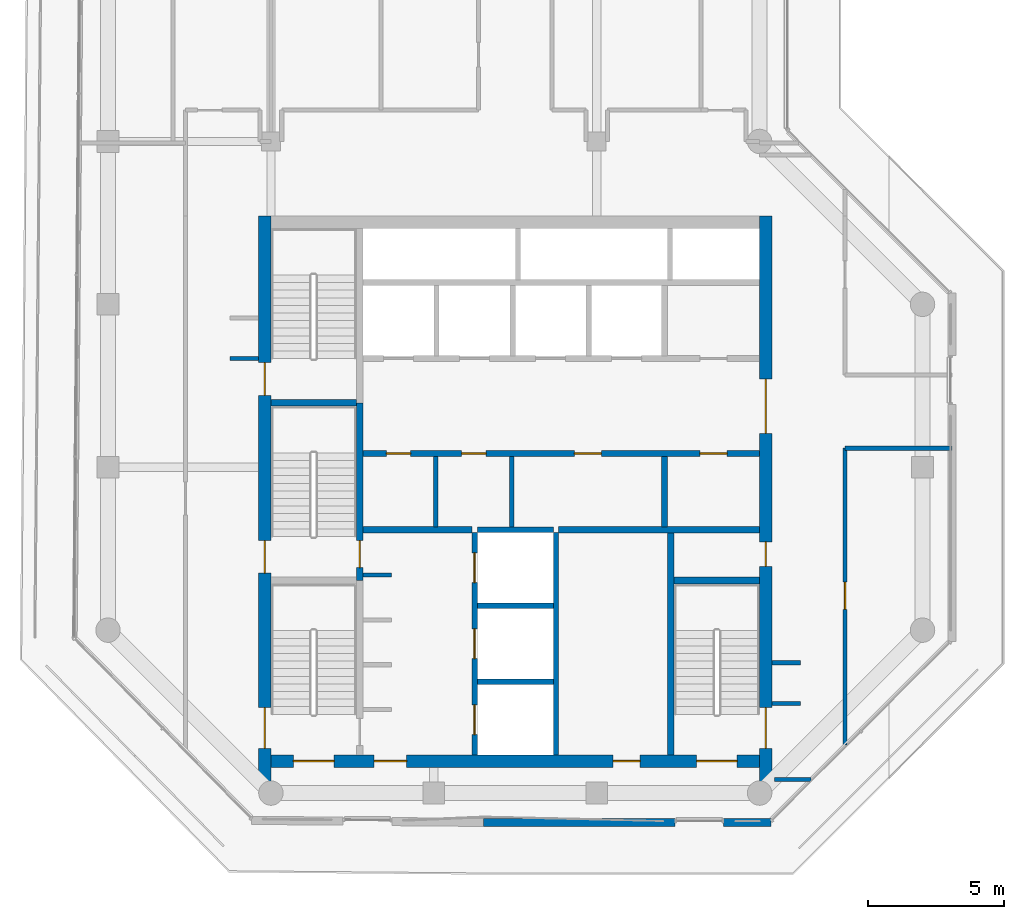
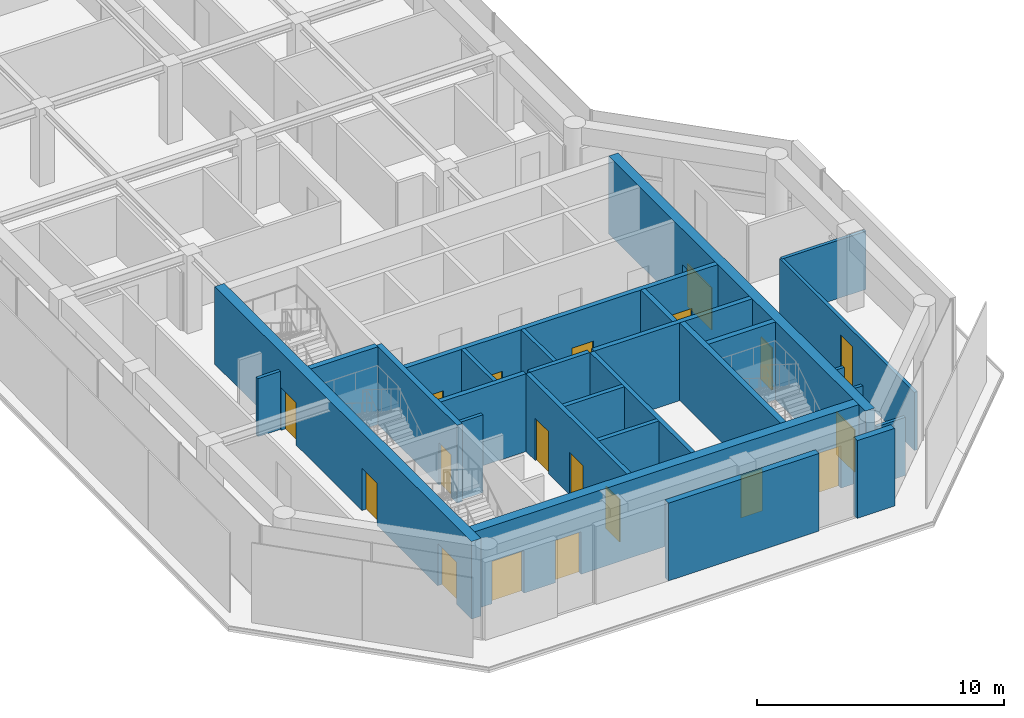
# One storey, part 15 of 19: 27 walls, 19 doors, 19 openings.
"""IFC4 building model written with IfcOpenShell, lengths in metres."""

from ifc_helpers import new_model, si_unit, direction, frame, frame_2d, origin, place, context, subcontext, project, spatial, rectangle, extrude, material, layer, layer_set, type_object, element, fill, save


model = new_model("IFC4")

# Units and contexts
model_context = context("Model", 3, precision=1e-05, world=origin(), true_north=direction((0.0, 1.0)))
body_context = subcontext(model_context, "Body", "Model", "MODEL_VIEW")
ifc_project = project(units=[si_unit("LENGTHUNIT", "METRE"), si_unit("AREAUNIT", "SQUARE_METRE"), si_unit("VOLUMEUNIT", "CUBIC_METRE"), si_unit("PLANEANGLEUNIT", "RADIAN"), si_unit("MASSUNIT", "GRAM", prefix="KILO")], contexts=[model_context])

# Site, building, storey
site_placement = place(None, origin())
site = spatial("IfcSite", under=ifc_project, at=site_placement, CompositionType="ELEMENT")
building_placement = place(site_placement, origin())
building = spatial("IfcBuilding", under=site, at=building_placement, Name="Welwitschia Terrace Campus", CompositionType="ELEMENT")
storey_placement = place(building_placement, frame((0.0, 0.0, 230.60009765625)))
storey = spatial("IfcBuildingStorey", under=building, at=storey_placement, Name="L51", CompositionType="ELEMENT", Elevation=230.60009765625)

# Walls
ifc_material_1 = material(Name="Concrete C32/40", Category="concrete")
ifc_layer_1 = layer(ifc_material_1, 0.175048828125)
ifc_layer_set_1 = layer_set([ifc_layer_1], Name="Concrete C32/40")
wall_type_1 = type_object("IfcWallType", Name="Core partition 175 Concrete C32/40", PredefinedType="PARTITIONING", material=ifc_layer_set_1)
for number, where, z_axis, x_axis, name in (
    (1, (12.074951171875, 13.800048828125, 0.0), (0.0, 0.0, 1.0), (0.0, 1.0, 0.0), "Core partition"),
    (2, (14.875, 13.800048828125, 0.0), (0.0, 0.0, 1.0), (0.0, 1.0, 0.0), "Core partition"),
):
    element("IfcWall", number, at=place(storey_placement, frame(where, z_axis=z_axis, x_axis=x_axis)), inside=storey, type_object=wall_type_1, Name=name, PredefinedType="PARTITIONING", context=body_context, shape_type="SweptSolid", body=[
        extrude(rectangle(XDim=2.599853515625, YDim=0.175048828125, at=frame_2d((1.2998046875, 0.0))), origin(), (0.0, 0.0, 1.0), 3.849853515625),
    ])
ifc_material_2 = material(Name="Concrete C32/40", Category="concrete")
ifc_layer_2 = layer(ifc_material_2, 0.22509765625)
ifc_layer_set_2 = layer_set([ifc_layer_2], Name="Concrete C32/40")
wall_type_2 = type_object("IfcWallType", Name="Core partition 225 Concrete C32/40", PredefinedType="PARTITIONING", material=ifc_layer_set_2)
wall_1_placement = place(storey_placement, frame((9.39990234375, 13.699951171875, 0.0), z_axis=(0.0, 0.0, 1.0), x_axis=(1.0, 0.0, 0.0)))
element("IfcWall", 3, at=wall_1_placement, inside=storey, type_object=wall_type_2, Name="Core partition", PredefinedType="PARTITIONING", context=body_context, shape_type="SweptSolid", body=[
    extrude(rectangle(XDim=4.0, YDim=0.22509765625, at=frame_2d((2.0, 0.0))), origin(), (0.0, 0.0, 1.0), 3.849853515625),
])
wall_2_placement = place(storey_placement, frame((16.60009765625, 13.699951171875, 0.0), z_axis=(0.0, 0.0, 1.0), x_axis=(1.0, 0.0, 0.0)))
element("IfcWall", 4, at=wall_2_placement, inside=storey, type_object=wall_type_2, Name="Core partition", PredefinedType="PARTITIONING", context=body_context, shape_type="SweptSolid", body=[
    extrude(rectangle(XDim=7.39990234375, YDim=0.22509765625, at=frame_2d((3.699951171875, 0.0))), origin(), (0.0, 0.0, 1.0), 3.849853515625),
])

# Wall, openings, doors
wall_3_placement = place(storey_placement, frame((9.39990234375, 16.5, 0.0), z_axis=(0.0, 0.0, 1.0), x_axis=(1.0, 0.0, 0.0)))
wall_3 = element("IfcWall", 5, at=wall_3_placement, inside=storey, type_object=wall_type_2, Name="Core partition", PredefinedType="PARTITIONING", context=body_context, shape_type="SweptSolid", body=[
    extrude(rectangle(XDim=14.60009765625, YDim=0.22509765625, at=frame_2d((7.300048828125, 0.0))), origin(), (0.0, 0.0, 1.0), 3.849853515625),
])
opening_1_placement = place(wall_3_placement, frame((0.85009765625, 0.0, 0.0)))
opening_1 = element("IfcOpeningElement", 6, at=opening_1_placement, cuts=wall_3, Name="Opening DR09", PredefinedType="OPENING", context=body_context, shape_type="SweptSolid", body=[
    extrude(rectangle(XDim=0.89990234375, YDim=2.10009765625, at=frame_2d((0.449951171875, 1.050048828125))), frame((0.0, 0.12255859375, 0.0), z_axis=(0.0, -1.0, 0.0), x_axis=(1.0, 0.0, 0.0)), (0.0, 0.0, 1.0), 0.2451171875),
])
opening_2_placement = place(wall_3_placement, frame((3.625, 0.0, 0.0)))
opening_2 = element("IfcOpeningElement", 7, at=opening_2_placement, cuts=wall_3, Name="Opening DR09", PredefinedType="OPENING", context=body_context, shape_type="SweptSolid", body=[
    extrude(rectangle(XDim=0.89990234375, YDim=2.10009765625, at=frame_2d((0.449951171875, 1.050048828125))), frame((0.0, 0.12255859375, 0.0), z_axis=(0.0, -1.0, 0.0), x_axis=(1.0, 0.0, 0.0)), (0.0, 0.0, 1.0), 0.2451171875),
])
opening_3_placement = place(wall_3_placement, frame((7.77490234375, 0.0, 0.0)))
opening_3 = element("IfcOpeningElement", 8, at=opening_3_placement, cuts=wall_3, Name="Opening DR10", PredefinedType="OPENING", context=body_context, shape_type="SweptSolid", body=[
    extrude(rectangle(XDim=1.0, YDim=2.10009765625, at=frame_2d((0.5, 1.050048828125))), frame((0.0, 0.12255859375, 0.0), z_axis=(0.0, -1.0, 0.0), x_axis=(1.0, 0.0, 0.0)), (0.0, 0.0, 1.0), 0.2451171875),
])
opening_4_placement = place(wall_3_placement, frame((12.39990234375, 0.0, 0.0)))
opening_4 = element("IfcOpeningElement", 9, at=opening_4_placement, cuts=wall_3, Name="Opening DR10", PredefinedType="OPENING", context=body_context, shape_type="SweptSolid", body=[
    extrude(rectangle(XDim=1.0, YDim=2.10009765625, at=frame_2d((0.5, 1.050048828125))), frame((0.0, 0.12255859375, 0.0), z_axis=(0.0, -1.0, 0.0), x_axis=(1.0, 0.0, 0.0)), (0.0, 0.0, 1.0), 0.2451171875),
])
ifc_material_3 = material(Name="Steel S275", Category="steel")
door_type_1 = type_object("IfcDoorType", Name="Core door DR09", OperationType="SINGLE_SWING_LEFT", PredefinedType="DOOR", material=ifc_material_3)
door_1_placement = place(opening_1_placement, origin())
door_1 = element("IfcDoor", 10, at=door_1_placement, inside=storey, type_object=door_type_1, Name="Door BAYL1-D", OperationType="SINGLE_SWING_LEFT", OverallHeight=2.10009765625, OverallWidth=0.89990234375, PredefinedType="DOOR", context=body_context, shape_type="SweptSolid", body=[
    extrude(rectangle(XDim=0.89990234375, YDim=2.10009765625, at=frame_2d((0.449951171875, 1.050048828125))), frame((0.0, 0.02490234375, 0.0), z_axis=(0.0, -1.0, 0.0), x_axis=(1.0, 0.0, 0.0)), (0.0, 0.0, 1.0), 0.050048828125),
])
fill(opening_1, door_1)
door_2_placement = place(opening_2_placement, origin())
door_2 = element("IfcDoor", 11, at=door_2_placement, inside=storey, type_object=door_type_1, Name="Door BAYL2-D", OperationType="SINGLE_SWING_LEFT", OverallHeight=2.10009765625, OverallWidth=0.89990234375, PredefinedType="DOOR", context=body_context, shape_type="SweptSolid", body=[
    extrude(rectangle(XDim=0.89990234375, YDim=2.10009765625, at=frame_2d((0.449951171875, 1.050048828125))), frame((0.0, 0.02490234375, 0.0), z_axis=(0.0, -1.0, 0.0), x_axis=(1.0, 0.0, 0.0)), (0.0, 0.0, 1.0), 0.050048828125),
])
fill(opening_2, door_2)
ifc_material_4 = material(Name="Steel S275", Category="steel")
door_type_2 = type_object("IfcDoorType", Name="Core door DR10", OperationType="SINGLE_SWING_LEFT", PredefinedType="DOOR", material=ifc_material_4)
door_3_placement = place(opening_3_placement, origin())
door_3 = element("IfcDoor", 12, at=door_3_placement, inside=storey, type_object=door_type_2, Name="Door BAYL3-D", OperationType="SINGLE_SWING_RIGHT", OverallHeight=2.10009765625, OverallWidth=1.0, PredefinedType="DOOR", context=body_context, shape_type="SweptSolid", body=[
    extrude(rectangle(XDim=1.0, YDim=2.10009765625, at=frame_2d((0.5, 1.050048828125))), frame((0.0, 0.02490234375, 0.0), z_axis=(0.0, -1.0, 0.0), x_axis=(1.0, 0.0, 0.0)), (0.0, 0.0, 1.0), 0.050048828125),
])
fill(opening_3, door_3)
door_4_placement = place(opening_4_placement, origin())
door_4 = element("IfcDoor", 13, at=door_4_placement, inside=storey, type_object=door_type_2, Name="Door EL-D", OperationType="SINGLE_SWING_RIGHT", OverallHeight=2.10009765625, OverallWidth=1.0, PredefinedType="DOOR", context=body_context, shape_type="SweptSolid", body=[
    extrude(rectangle(XDim=1.0, YDim=2.10009765625, at=frame_2d((0.5, 1.050048828125))), frame((0.0, 0.02490234375, 0.0), z_axis=(0.0, -1.0, 0.0), x_axis=(1.0, 0.0, 0.0)), (0.0, 0.0, 1.0), 0.050048828125),
])
fill(opening_4, door_4)

# Walls
wall_4_placement = place(storey_placement, frame((20.5, 13.800048828125, 0.0), z_axis=(0.0, 0.0, 1.0), x_axis=(0.0, 1.0, 0.0)))
element("IfcWall", 14, at=wall_4_placement, inside=storey, type_object=wall_type_2, Name="Core partition", PredefinedType="PARTITIONING", context=body_context, shape_type="SweptSolid", body=[
    extrude(rectangle(XDim=2.599853515625, YDim=0.22509765625, at=frame_2d((1.2998046875, 0.0))), origin(), (0.0, 0.0, 1.0), 3.849853515625),
])
ifc_material_5 = material(Name="Concrete C50/60", Category="concrete")
ifc_layer_3 = layer(ifc_material_5, 0.14990234375)
ifc_layer_set_3 = layer_set([ifc_layer_3], Name="Concrete C50/60")
wall_type_3 = type_object("IfcWallType", Name="Core wall 150 Concrete C50/60", PredefinedType="SHEAR", material=ifc_layer_set_3)
wall_5_placement = place(storey_placement, frame((9.39990234375, 12.02490234375, 0.0), z_axis=(0.0, 0.0, 1.0), x_axis=(1.0, 0.0, 0.0)))
element("IfcWall", 15, at=wall_5_placement, inside=storey, type_object=wall_type_3, Name="Core wall", PredefinedType="SHEAR", context=body_context, shape_type="SweptSolid", body=[
    extrude(rectangle(XDim=1.050048828125, YDim=0.14990234375, at=frame_2d((0.52490234375, 0.0))), origin(), (0.0, 0.0, 1.0), 3.849853515625),
])
ifc_material_6 = material(Name="Concrete C50/60", Category="concrete")
ifc_layer_4 = layer(ifc_material_6, 0.199951171875)
ifc_layer_set_4 = layer_set([ifc_layer_4], Name="Concrete C50/60")
wall_type_4 = type_object("IfcWallType", Name="Core wall 200 Concrete C50/60", PredefinedType="SHEAR", material=ifc_layer_set_4)
for number, where, z_axis, x_axis, name in (
    (16, (13.60009765625, 8.10009765625, 0.0), (0.0, 0.0, 1.0), (1.0, 0.0, 0.0), "Core wall"),
    (17, (13.60009765625, 10.89990234375, 0.0), (0.0, 0.0, 1.0), (1.0, 0.0, 0.0), "Core wall"),
    (18, (13.60009765625, 13.699951171875, 0.0), (0.0, 0.0, 1.0), (1.0, 0.0, 0.0), "Core wall"),
):
    element("IfcWall", number, at=place(storey_placement, frame(where, z_axis=z_axis, x_axis=x_axis)), inside=storey, type_object=wall_type_4, Name=name, PredefinedType="SHEAR", context=body_context, shape_type="SweptSolid", body=[
        extrude(rectangle(XDim=2.7998046875, YDim=0.199951171875, at=frame_2d((1.39990234375, 0.0))), origin(), (0.0, 0.0, 1.0), 3.849853515625),
    ])

# Wall, openings, doors
wall_6_placement = place(storey_placement, frame((13.5, 5.39990234375, 0.0), z_axis=(0.0, 0.0, 1.0), x_axis=(0.0, 1.0, 0.0)))
wall_6 = element("IfcWall", 19, at=wall_6_placement, inside=storey, type_object=wall_type_4, Name="Core wall", PredefinedType="SHEAR", context=body_context, shape_type="SweptSolid", body=[
    extrude(rectangle(XDim=8.2001953125, YDim=0.199951171875, at=frame_2d((4.10009765625, 0.0))), origin(), (0.0, 0.0, 1.0), 3.849853515625),
])
opening_5_placement = place(wall_6_placement, frame((0.75, 0.0, 0.0)))
opening_5 = element("IfcOpeningElement", 20, at=opening_5_placement, cuts=wall_6, Name="Opening LD", PredefinedType="OPENING", context=body_context, shape_type="SweptSolid", body=[
    extrude(rectangle(XDim=1.10009765625, YDim=2.10009765625, at=frame_2d((0.550048828125, 1.050048828125))), frame((0.0, 0.10986328125, 0.0), z_axis=(0.0, -1.0, 0.0), x_axis=(1.0, 0.0, 0.0)), (0.0, 0.0, 1.0), 0.219970703125),
])
opening_6_placement = place(wall_6_placement, frame((3.550048828125, 0.0, 0.0)))
opening_6 = element("IfcOpeningElement", 21, at=opening_6_placement, cuts=wall_6, Name="Opening LD", PredefinedType="OPENING", context=body_context, shape_type="SweptSolid", body=[
    extrude(rectangle(XDim=1.10009765625, YDim=2.10009765625, at=frame_2d((0.550048828125, 1.050048828125))), frame((0.0, 0.10986328125, 0.0), z_axis=(0.0, -1.0, 0.0), x_axis=(1.0, 0.0, 0.0)), (0.0, 0.0, 1.0), 0.219970703125),
])
opening_7_placement = place(wall_6_placement, frame((6.35009765625, 0.0, 0.0)))
opening_7 = element("IfcOpeningElement", 22, at=opening_7_placement, cuts=wall_6, Name="Opening LD", PredefinedType="OPENING", context=body_context, shape_type="SweptSolid", body=[
    extrude(rectangle(XDim=1.10009765625, YDim=2.10009765625, at=frame_2d((0.550048828125, 1.050048828125))), frame((0.0, 0.10986328125, 0.0), z_axis=(0.0, -1.0, 0.0), x_axis=(1.0, 0.0, 0.0)), (0.0, 0.0, 1.0), 0.219970703125),
])
ifc_material_7 = material(Name="Stainless steel 304", Category="steel")
door_type_3 = type_object("IfcDoorType", Name="Lift landing door", OperationType="DOUBLE_DOOR_SLIDING", PredefinedType="DOOR", material=ifc_material_7)
door_5_placement = place(opening_5_placement, origin())
door_5 = element("IfcDoor", 23, at=door_5_placement, inside=storey, type_object=door_type_3, Name="Landing door FF1", OperationType="DOUBLE_DOOR_SLIDING", OverallHeight=2.10009765625, OverallWidth=1.10009765625, PredefinedType="DOOR", context=body_context, shape_type="SweptSolid", body=[
    extrude(rectangle(XDim=1.10009765625, YDim=2.10009765625, at=frame_2d((0.550048828125, 1.050048828125))), frame((0.0, 0.02490234375, 0.0), z_axis=(0.0, -1.0, 0.0), x_axis=(1.0, 0.0, 0.0)), (0.0, 0.0, 1.0), 0.050048828125),
])
fill(opening_5, door_5)
door_6_placement = place(opening_6_placement, origin())
door_6 = element("IfcDoor", 24, at=door_6_placement, inside=storey, type_object=door_type_3, Name="Landing door FF2", OperationType="DOUBLE_DOOR_SLIDING", OverallHeight=2.10009765625, OverallWidth=1.10009765625, PredefinedType="DOOR", context=body_context, shape_type="SweptSolid", body=[
    extrude(rectangle(XDim=1.10009765625, YDim=2.10009765625, at=frame_2d((0.550048828125, 1.050048828125))), frame((0.0, 0.02490234375, 0.0), z_axis=(0.0, -1.0, 0.0), x_axis=(1.0, 0.0, 0.0)), (0.0, 0.0, 1.0), 0.050048828125),
])
fill(opening_6, door_6)
door_7_placement = place(opening_7_placement, origin())
door_7 = element("IfcDoor", 25, at=door_7_placement, inside=storey, type_object=door_type_3, Name="Landing door SV1", OperationType="DOUBLE_DOOR_SLIDING", OverallHeight=2.10009765625, OverallWidth=1.10009765625, PredefinedType="DOOR", context=body_context, shape_type="SweptSolid", body=[
    extrude(rectangle(XDim=1.10009765625, YDim=2.10009765625, at=frame_2d((0.550048828125, 1.050048828125))), frame((0.0, 0.02490234375, 0.0), z_axis=(0.0, -1.0, 0.0), x_axis=(1.0, 0.0, 0.0)), (0.0, 0.0, 1.0), 0.050048828125),
])
fill(opening_7, door_7)

# Walls
wall_7_placement = place(storey_placement, frame((16.5, 5.39990234375, 0.0), z_axis=(0.0, 0.0, 1.0), x_axis=(0.0, 1.0, 0.0)))
element("IfcWall", 26, at=wall_7_placement, inside=storey, type_object=wall_type_4, Name="Core wall", PredefinedType="SHEAR", context=body_context, shape_type="SweptSolid", body=[
    extrude(rectangle(XDim=8.2001953125, YDim=0.199951171875, at=frame_2d((4.10009765625, 0.0))), origin(), (0.0, 0.0, 1.0), 3.849853515625),
])
ifc_material_8 = material(Name="Concrete C50/60", Category="concrete")
ifc_layer_5 = layer(ifc_material_8, 0.25)
ifc_layer_set_5 = layer_set([ifc_layer_5], Name="Concrete C50/60")
wall_type_5 = type_object("IfcWallType", Name="Core wall 250 Concrete C50/60", PredefinedType="SHEAR", material=ifc_layer_set_5)
for number, where, z_axis, x_axis, name in (
    (27, (20.85009765625, 11.824951171875, 0.0), (0.0, 0.0, 1.0), (1.0, 0.0, 0.0), "Core wall"),
    (28, (6.0, 18.375, 0.0), (0.0, 0.0, 1.0), (1.0, 0.0, 0.0), "Core wall"),
):
    element("IfcWall", number, at=place(storey_placement, frame(where, z_axis=z_axis, x_axis=x_axis)), inside=storey, type_object=wall_type_5, Name=name, PredefinedType="SHEAR", context=body_context, shape_type="SweptSolid", body=[
        extrude(rectangle(XDim=3.14990234375, YDim=0.25, at=frame_2d((1.574951171875, 0.0))), origin(), (0.0, 0.0, 1.0), 3.849853515625),
    ])

# Wall, opening, door
wall_8_placement = place(storey_placement, frame((9.27490234375, 18.375, 0.0), z_axis=(0.0, 0.0, 1.0), x_axis=(0.0, -1.0, 0.0)))
wall_8 = element("IfcWall", 29, at=wall_8_placement, inside=storey, type_object=wall_type_5, Name="Core wall", PredefinedType="SHEAR", context=body_context, shape_type="SweptSolid", body=[
    extrude(rectangle(XDim=6.550048828125, YDim=0.25, at=frame_2d((3.27490234375, 0.0))), origin(), (0.0, 0.0, 1.0), 3.849853515625),
])
opening_8_placement = place(wall_8_placement, frame((5.074951171875, 0.0, 0.0)))
opening_8 = element("IfcOpeningElement", 30, at=opening_8_placement, cuts=wall_8, Name="Opening DS10", PredefinedType="OPENING", context=body_context, shape_type="SweptSolid", body=[
    extrude(rectangle(XDim=1.0, YDim=2.10009765625, at=frame_2d((0.5, 1.050048828125))), frame((0.0, 0.135009765625, 0.0), z_axis=(0.0, -1.0, 0.0), x_axis=(1.0, 0.0, 0.0)), (0.0, 0.0, 1.0), 0.27001953125),
])
ifc_material_9 = material(Name="Steel S275", Category="steel")
door_type_4 = type_object("IfcDoorType", Name="Core door DS10", OperationType="SINGLE_SWING_LEFT", PredefinedType="DOOR", material=ifc_material_9)
door_8_placement = place(opening_8_placement, origin())
door_8 = element("IfcDoor", 31, at=door_8_placement, inside=storey, type_object=door_type_4, Name="Door S3-FL", OperationType="SINGLE_SWING_RIGHT", OverallHeight=2.10009765625, OverallWidth=1.0, PredefinedType="DOOR", context=body_context, shape_type="SweptSolid", body=[
    extrude(rectangle(XDim=1.0, YDim=2.10009765625, at=frame_2d((0.5, 1.050048828125))), frame((0.0, 0.02490234375, 0.0), z_axis=(0.0, -1.0, 0.0), x_axis=(1.0, 0.0, 0.0)), (0.0, 0.0, 1.0), 0.050048828125),
])
fill(opening_8, door_8)

# Wall
wall_9_placement = place(storey_placement, frame((20.72509765625, 5.39990234375, 0.0), z_axis=(0.0, 0.0, 1.0), x_axis=(0.0, 1.0, 0.0)))
element("IfcWall", 32, at=wall_9_placement, inside=storey, type_object=wall_type_5, Name="Core wall", PredefinedType="SHEAR", context=body_context, shape_type="SweptSolid", body=[
    extrude(rectangle(XDim=8.2001953125, YDim=0.25, at=frame_2d((4.10009765625, 0.0))), origin(), (0.0, 0.0, 1.0), 3.849853515625),
])

# Wall, openings, doors
ifc_material_10 = material(Name="Concrete C60/75", Category="concrete")
ifc_layer_6 = layer(ifc_material_10, 0.449951171875)
ifc_layer_set_6 = layer_set([ifc_layer_6], Name="Concrete C60/75")
wall_type_6 = type_object("IfcWallType", Name="Core wall 450 Concrete C60/75", PredefinedType="SHEAR", material=ifc_layer_set_6)
wall_10_placement = place(storey_placement, frame((5.77490234375, 4.419921875, 0.0), z_axis=(0.0, 0.0, 1.0), x_axis=(0.0, 1.0, 0.0)))
wall_10 = element("IfcWall", 33, at=wall_10_placement, inside=storey, type_object=wall_type_6, Name="Core outer wall", PredefinedType="SHEAR", context=body_context, shape_type="SweptSolid", body=[
    extrude(rectangle(XDim=20.830078125, YDim=0.449951171875, at=frame_2d((10.4150390625, 0.0))), origin(), (0.0, 0.0, 1.0), 3.849853515625),
])
opening_9_placement = place(wall_10_placement, frame((1.22998046875, 0.0, 0.0)))
opening_9 = element("IfcOpeningElement", 34, at=opening_9_placement, cuts=wall_10, Name="Opening DS15", PredefinedType="OPENING", context=body_context, shape_type="SweptSolid", body=[
    extrude(rectangle(XDim=1.5, YDim=2.10009765625, at=frame_2d((0.75, 1.050048828125))), frame((0.0, 0.23486328125, 0.0), z_axis=(0.0, -1.0, 0.0), x_axis=(1.0, 0.0, 0.0)), (0.0, 0.0, 1.0), 0.469970703125),
])
opening_10_placement = place(wall_10_placement, frame((7.679931640625, 0.0, 0.0)))
opening_10 = element("IfcOpeningElement", 35, at=opening_10_placement, cuts=wall_10, Name="Opening DS12", PredefinedType="OPENING", context=body_context, shape_type="SweptSolid", body=[
    extrude(rectangle(XDim=1.199951171875, YDim=2.10009765625, at=frame_2d((0.60009765625, 1.050048828125))), frame((0.0, 0.23486328125, 0.0), z_axis=(0.0, -1.0, 0.0), x_axis=(1.0, 0.0, 0.0)), (0.0, 0.0, 1.0), 0.469970703125),
])
opening_11_placement = place(wall_10_placement, frame((14.22998046875, 0.0, 0.0)))
opening_11 = element("IfcOpeningElement", 36, at=opening_11_placement, cuts=wall_10, Name="Opening DS12", PredefinedType="OPENING", context=body_context, shape_type="SweptSolid", body=[
    extrude(rectangle(XDim=1.199951171875, YDim=2.10009765625, at=frame_2d((0.60009765625, 1.050048828125))), frame((0.0, 0.23486328125, 0.0), z_axis=(0.0, -1.0, 0.0), x_axis=(1.0, 0.0, 0.0)), (0.0, 0.0, 1.0), 0.469970703125),
])
ifc_material_11 = material(Name="Steel S275", Category="steel")
door_type_5 = type_object("IfcDoorType", Name="Core door DS12", OperationType="SINGLE_SWING_LEFT", PredefinedType="DOOR", material=ifc_material_11)
door_9_placement = place(opening_10_placement, origin())
door_9 = element("IfcDoor", 37, at=door_9_placement, inside=storey, type_object=door_type_5, Name="Door S3-out", OperationType="SINGLE_SWING_LEFT", OverallHeight=2.10009765625, OverallWidth=1.199951171875, PredefinedType="DOOR", context=body_context, shape_type="SweptSolid", body=[
    extrude(rectangle(XDim=1.199951171875, YDim=2.10009765625, at=frame_2d((0.60009765625, 1.050048828125))), frame((0.0, 0.02490234375, 0.0), z_axis=(0.0, -1.0, 0.0), x_axis=(1.0, 0.0, 0.0)), (0.0, 0.0, 1.0), 0.050048828125),
])
fill(opening_10, door_9)
door_10_placement = place(opening_11_placement, origin())
door_10 = element("IfcDoor", 38, at=door_10_placement, inside=storey, type_object=door_type_5, Name="Door S4-out", OperationType="SINGLE_SWING_RIGHT", OverallHeight=2.10009765625, OverallWidth=1.199951171875, PredefinedType="DOOR", context=body_context, shape_type="SweptSolid", body=[
    extrude(rectangle(XDim=1.199951171875, YDim=2.10009765625, at=frame_2d((0.60009765625, 1.050048828125))), frame((0.0, 0.02490234375, 0.0), z_axis=(0.0, -1.0, 0.0), x_axis=(1.0, 0.0, 0.0)), (0.0, 0.0, 1.0), 0.050048828125),
])
fill(opening_11, door_10)
ifc_material_12 = material(Name="Steel S275", Category="steel")
door_type_6 = type_object("IfcDoorType", Name="Core door DS15", OperationType="DOUBLE_DOOR_SINGLE_SWING", PredefinedType="DOOR", material=ifc_material_12)
door_11_placement = place(opening_9_placement, origin())
door_11 = element("IfcDoor", 39, at=door_11_placement, inside=storey, type_object=door_type_6, Name="Door S1-out", OperationType="DOUBLE_DOOR_SINGLE_SWING", OverallHeight=2.10009765625, OverallWidth=1.5, PredefinedType="DOOR", context=body_context, shape_type="SweptSolid", body=[
    extrude(rectangle(XDim=1.5, YDim=2.10009765625, at=frame_2d((0.75, 1.050048828125))), frame((0.0, 0.02490234375, 0.0), z_axis=(0.0, -1.0, 0.0), x_axis=(1.0, 0.0, 0.0)), (0.0, 0.0, 1.0), 0.050048828125),
])
fill(opening_9, door_11)

wall_11_placement = place(storey_placement, frame((24.22509765625, 25.25, 0.0), z_axis=(0.0, 0.0, 1.0), x_axis=(0.0, -1.0, 0.0)))
wall_11 = element("IfcWall", 40, at=wall_11_placement, inside=storey, type_object=wall_type_6, Name="Core outer wall", PredefinedType="SHEAR", context=body_context, shape_type="SweptSolid", body=[
    extrude(rectangle(XDim=20.830078125, YDim=0.449951171875, at=frame_2d((10.4150390625, 0.0))), origin(), (0.0, 0.0, 1.0), 3.849853515625),
])
opening_12_placement = place(wall_11_placement, frame((18.10009765625, 0.0, 0.0)))
opening_12 = element("IfcOpeningElement", 41, at=opening_12_placement, cuts=wall_11, Name="Opening DS15", PredefinedType="OPENING", context=body_context, shape_type="SweptSolid", body=[
    extrude(rectangle(XDim=1.5, YDim=2.10009765625, at=frame_2d((0.75, 1.050048828125))), frame((0.0, 0.23486328125, 0.0), z_axis=(0.0, -1.0, 0.0), x_axis=(1.0, 0.0, 0.0)), (0.0, 0.0, 1.0), 0.469970703125),
])
opening_13_placement = place(wall_11_placement, frame((12.0, 0.0, 0.0)))
opening_13 = element("IfcOpeningElement", 42, at=opening_13_placement, cuts=wall_11, Name="Opening DR09", PredefinedType="OPENING", context=body_context, shape_type="SweptSolid", body=[
    extrude(rectangle(XDim=0.89990234375, YDim=2.10009765625, at=frame_2d((0.449951171875, 1.050048828125))), frame((0.0, 0.23486328125, 0.0), z_axis=(0.0, -1.0, 0.0), x_axis=(1.0, 0.0, 0.0)), (0.0, 0.0, 1.0), 0.469970703125),
])
opening_14_placement = place(wall_11_placement, frame((6.0, 0.0, 0.0)))
opening_14 = element("IfcOpeningElement", 43, at=opening_14_placement, cuts=wall_11, Name="Opening DL20", PredefinedType="OPENING", context=body_context, shape_type="SweptSolid", body=[
    extrude(rectangle(XDim=2.0, YDim=2.10009765625, at=frame_2d((1.0, 1.050048828125))), frame((0.0, 0.23486328125, 0.0), z_axis=(0.0, -1.0, 0.0), x_axis=(1.0, 0.0, 0.0)), (0.0, 0.0, 1.0), 0.469970703125),
])
ifc_material_13 = material(Name="Steel S275", Category="steel")
door_type_7 = type_object("IfcDoorType", Name="Core door DL20", OperationType="DOUBLE_DOOR_SINGLE_SWING", PredefinedType="DOOR", material=ifc_material_13)
door_12_placement = place(opening_14_placement, origin())
door_12 = element("IfcDoor", 44, at=door_12_placement, inside=storey, type_object=door_type_7, Name="Door LOBBY-out", OperationType="DOUBLE_DOOR_SINGLE_SWING", OverallHeight=2.10009765625, OverallWidth=2.0, PredefinedType="DOOR", context=body_context, shape_type="SweptSolid", body=[
    extrude(rectangle(XDim=2.0, YDim=2.10009765625, at=frame_2d((1.0, 1.050048828125))), frame((0.0, 0.02490234375, 0.0), z_axis=(0.0, -1.0, 0.0), x_axis=(1.0, 0.0, 0.0)), (0.0, 0.0, 1.0), 0.050048828125),
])
fill(opening_14, door_12)
door_13_placement = place(opening_13_placement, origin())
door_13 = element("IfcDoor", 45, at=door_13_placement, inside=storey, type_object=door_type_1, Name="Door F1B-out", OperationType="SINGLE_SWING_RIGHT", OverallHeight=2.10009765625, OverallWidth=0.89990234375, PredefinedType="DOOR", context=body_context, shape_type="SweptSolid", body=[
    extrude(rectangle(XDim=0.89990234375, YDim=2.10009765625, at=frame_2d((0.449951171875, 1.050048828125))), frame((0.0, 0.02490234375, 0.0), z_axis=(0.0, -1.0, 0.0), x_axis=(1.0, 0.0, 0.0)), (0.0, 0.0, 1.0), 0.050048828125),
])
fill(opening_13, door_13)
door_14_placement = place(opening_12_placement, origin())
door_14 = element("IfcDoor", 46, at=door_14_placement, inside=storey, type_object=door_type_6, Name="Door S2-out", OperationType="DOUBLE_DOOR_SINGLE_SWING", OverallHeight=2.10009765625, OverallWidth=1.5, PredefinedType="DOOR", context=body_context, shape_type="SweptSolid", body=[
    extrude(rectangle(XDim=1.5, YDim=2.10009765625, at=frame_2d((0.75, 1.050048828125))), frame((0.0, 0.02490234375, 0.0), z_axis=(0.0, -1.0, 0.0), x_axis=(1.0, 0.0, 0.0)), (0.0, 0.0, 1.0), 0.050048828125),
])
fill(opening_12, door_14)

wall_12_placement = place(storey_placement, frame((24.0, 5.175048828125, 0.0), z_axis=(0.0, 0.0, 1.0), x_axis=(-1.0, 0.0, 0.0)))
wall_12 = element("IfcWall", 47, at=wall_12_placement, inside=storey, type_object=wall_type_6, Name="Core outer wall", PredefinedType="SHEAR", context=body_context, shape_type="SweptSolid", body=[
    extrude(rectangle(XDim=18.0, YDim=0.449951171875, at=frame_2d((9.0, 0.0))), origin(), (0.0, 0.0, 1.0), 3.849853515625),
])
opening_15_placement = place(wall_12_placement, frame((0.824951171875, 0.0, 0.0)))
opening_15 = element("IfcOpeningElement", 48, at=opening_15_placement, cuts=wall_12, Name="Opening DS15", PredefinedType="OPENING", context=body_context, shape_type="SweptSolid", body=[
    extrude(rectangle(XDim=1.5, YDim=2.10009765625, at=frame_2d((0.75, 1.050048828125))), frame((0.0, 0.23486328125, 0.0), z_axis=(0.0, -1.0, 0.0), x_axis=(1.0, 0.0, 0.0)), (0.0, 0.0, 1.0), 0.469970703125),
])
opening_16_placement = place(wall_12_placement, frame((15.675048828125, 0.0, 0.0)))
opening_16 = element("IfcOpeningElement", 49, at=opening_16_placement, cuts=wall_12, Name="Opening DS15", PredefinedType="OPENING", context=body_context, shape_type="SweptSolid", body=[
    extrude(rectangle(XDim=1.5, YDim=2.10009765625, at=frame_2d((0.75, 1.050048828125))), frame((0.0, 0.23486328125, 0.0), z_axis=(0.0, -1.0, 0.0), x_axis=(1.0, 0.0, 0.0)), (0.0, 0.0, 1.0), 0.469970703125),
])
opening_17_placement = place(wall_12_placement, frame((13.0, 0.0, 0.0)))
opening_17 = element("IfcOpeningElement", 50, at=opening_17_placement, cuts=wall_12, Name="Opening DF12", PredefinedType="OPENING", context=body_context, shape_type="SweptSolid", body=[
    extrude(rectangle(XDim=1.199951171875, YDim=2.10009765625, at=frame_2d((0.60009765625, 1.050048828125))), frame((0.0, 0.23486328125, 0.0), z_axis=(0.0, -1.0, 0.0), x_axis=(1.0, 0.0, 0.0)), (0.0, 0.0, 1.0), 0.469970703125),
])
opening_18_placement = place(wall_12_placement, frame((4.39990234375, 0.0, 0.0)))
opening_18 = element("IfcOpeningElement", 51, at=opening_18_placement, cuts=wall_12, Name="Opening DR10", PredefinedType="OPENING", context=body_context, shape_type="SweptSolid", body=[
    extrude(rectangle(XDim=1.0, YDim=2.10009765625, at=frame_2d((0.5, 1.050048828125))), frame((0.0, 0.23486328125, 0.0), z_axis=(0.0, -1.0, 0.0), x_axis=(1.0, 0.0, 0.0)), (0.0, 0.0, 1.0), 0.469970703125),
])
ifc_material_14 = material(Name="Steel S275", Category="steel")
door_type_8 = type_object("IfcDoorType", Name="Core door DF12", OperationType="SINGLE_SWING_LEFT", PredefinedType="DOOR", material=ifc_material_14)
door_15_placement = place(opening_17_placement, origin())
door_15 = element("IfcDoor", 52, at=door_15_placement, inside=storey, type_object=door_type_8, Name="Door FL-out", OperationType="SINGLE_SWING_RIGHT", OverallHeight=2.10009765625, OverallWidth=1.199951171875, PredefinedType="DOOR", context=body_context, shape_type="SweptSolid", body=[
    extrude(rectangle(XDim=1.199951171875, YDim=2.10009765625, at=frame_2d((0.60009765625, 1.050048828125))), frame((0.0, 0.02490234375, 0.0), z_axis=(0.0, -1.0, 0.0), x_axis=(1.0, 0.0, 0.0)), (0.0, 0.0, 1.0), 0.050048828125),
])
fill(opening_17, door_15)
door_16_placement = place(opening_18_placement, origin())
door_16 = element("IfcDoor", 53, at=door_16_placement, inside=storey, type_object=door_type_2, Name="Door F1-out", OperationType="SINGLE_SWING_LEFT", OverallHeight=2.10009765625, OverallWidth=1.0, PredefinedType="DOOR", context=body_context, shape_type="SweptSolid", body=[
    extrude(rectangle(XDim=1.0, YDim=2.10009765625, at=frame_2d((0.5, 1.050048828125))), frame((0.0, 0.02490234375, 0.0), z_axis=(0.0, -1.0, 0.0), x_axis=(1.0, 0.0, 0.0)), (0.0, 0.0, 1.0), 0.050048828125),
])
fill(opening_18, door_16)
door_17_placement = place(opening_15_placement, origin())
door_17 = element("IfcDoor", 54, at=door_17_placement, inside=storey, type_object=door_type_6, Name="Door S2-outS", OperationType="DOUBLE_DOOR_SINGLE_SWING", OverallHeight=2.10009765625, OverallWidth=1.5, PredefinedType="DOOR", context=body_context, shape_type="SweptSolid", body=[
    extrude(rectangle(XDim=1.5, YDim=2.10009765625, at=frame_2d((0.75, 1.050048828125))), frame((0.0, 0.02490234375, 0.0), z_axis=(0.0, -1.0, 0.0), x_axis=(1.0, 0.0, 0.0)), (0.0, 0.0, 1.0), 0.050048828125),
])
fill(opening_15, door_17)
door_18_placement = place(opening_16_placement, origin())
door_18 = element("IfcDoor", 55, at=door_18_placement, inside=storey, type_object=door_type_6, Name="Door S1-outS", OperationType="DOUBLE_DOOR_SINGLE_SWING", OverallHeight=2.10009765625, OverallWidth=1.5, PredefinedType="DOOR", context=body_context, shape_type="SweptSolid", body=[
    extrude(rectangle(XDim=1.5, YDim=2.10009765625, at=frame_2d((0.75, 1.050048828125))), frame((0.0, 0.02490234375, 0.0), z_axis=(0.0, -1.0, 0.0), x_axis=(1.0, 0.0, 0.0)), (0.0, 0.0, 1.0), 0.050048828125),
])
fill(opening_16, door_18)

# Walls
ifc_material_15 = material(Name="Gypsum board on steel studs", Category="steel")
ifc_layer_7 = layer(ifc_material_15, 0.14990234375)
ifc_layer_set_7 = layer_set([ifc_layer_7], Name="Gypsum board on steel studs")
wall_type_7 = type_object("IfcWallType", Name="Corridor partition 150 EI 30", PredefinedType="PARTITIONING", material=ifc_layer_set_7)
for number, where, z_axis, x_axis, name in (
    (56, (4.5, 20.0, 0.0), (0.0, 0.0, 1.0), (1.0, 0.0, 0.0), "Partition"),
    (57, (24.449951171875, 7.300048828125, 0.0), (0.0, 0.0, 1.0), (1.0, 0.0, 0.0), "Partition"),
    (58, (24.449951171875, 8.800048828125, 0.0), (0.0, 0.0, 1.0), (1.0, 0.0, 0.0), "Partition"),
):
    element("IfcWall", number, at=place(storey_placement, frame(where, z_axis=z_axis, x_axis=x_axis)), inside=storey, type_object=wall_type_7, Name=name, PredefinedType="PARTITIONING", context=body_context, shape_type="SweptSolid", body=[
        extrude(rectangle(XDim=1.050048828125, YDim=0.14990234375, at=frame_2d((0.52490234375, 0.0))), origin(), (0.0, 0.0, 1.0), 2.8798828125),
    ])
wall_13_placement = place(storey_placement, frame((24.550048828125, 4.5, 0.0), z_axis=(0.0, 0.0, 1.0), x_axis=(1.0, 0.0, 0.0)))
element("IfcWall", 59, at=wall_13_placement, inside=storey, type_object=wall_type_7, Name="Partition", PredefinedType="PARTITIONING", context=body_context, shape_type="SweptSolid", body=[
    extrude(rectangle(XDim=1.33984375, YDim=0.14990234375, at=frame_2d((0.669921875, 0.0))), origin(), (0.0, 0.0, 1.0), 2.8798828125),
])

# Wall, opening, door
wall_14_placement = place(storey_placement, frame((27.14990234375, 16.699951171875, 0.0), z_axis=(0.0, 0.0, 1.0), x_axis=(0.0, -1.0, 0.0)))
wall_14 = element("IfcWall", 60, at=wall_14_placement, inside=storey, type_object=wall_type_7, Name="Partition", PredefinedType="PARTITIONING", context=body_context, shape_type="SweptSolid", body=[
    extrude(rectangle(XDim=10.929931640625, YDim=0.14990234375, at=frame_2d((5.46484375, 0.0))), origin(), (0.0, 0.0, 1.0), 2.8798828125),
])
opening_19_placement = place(wall_14_placement, frame((4.929931640625, 0.0, 0.0)))
opening_19 = element("IfcOpeningElement", 61, at=opening_19_placement, cuts=wall_14, Name="Opening DI10", PredefinedType="OPENING", context=body_context, shape_type="SweptSolid", body=[
    extrude(rectangle(XDim=1.0, YDim=2.10009765625, at=frame_2d((0.5, 1.050048828125))), frame((0.0, 0.0849609375, 0.0), z_axis=(0.0, -1.0, 0.0), x_axis=(1.0, 0.0, 0.0)), (0.0, 0.0, 1.0), 0.169921875),
])
ifc_material_16 = material(Name="Timber veneered door", Category="wood")
door_type_9 = type_object("IfcDoorType", Name="Interior door DI10", OperationType="NOTDEFINED", PredefinedType="DOOR", material=ifc_material_16)
door_19_placement = place(opening_19_placement, origin())
door_19 = element("IfcDoor", 62, at=door_19_placement, inside=storey, type_object=door_type_9, Name="Door L51 959", OperationType="SINGLE_SWING_RIGHT", OverallHeight=2.10009765625, OverallWidth=1.0, PredefinedType="DOOR", context=body_context, shape_type="SweptSolid", body=[
    extrude(rectangle(XDim=1.0, YDim=2.10009765625, at=frame_2d((0.5, 1.050048828125))), frame((0.0, 0.02490234375, 0.0), z_axis=(0.0, -1.0, 0.0), x_axis=(1.0, 0.0, 0.0)), (0.0, 0.0, 1.0), 0.050048828125),
])
fill(opening_19, door_19)

# Walls
wall_15_placement = place(storey_placement, frame((27.14990234375, 16.699951171875, 0.0), z_axis=(0.0, 0.0, 1.0), x_axis=(1.0, 0.0, 0.0)))
element("IfcWall", 63, at=wall_15_placement, inside=storey, type_object=wall_type_7, Name="Partition", PredefinedType="PARTITIONING", context=body_context, shape_type="SweptSolid", body=[
    extrude(rectangle(XDim=3.940185546875, YDim=0.14990234375, at=frame_2d((1.97021484375, 0.0))), origin(), (0.0, 0.0, 1.0), 2.8798828125),
])
ifc_material_17 = material(Name="Concrete C40/50", Category="concrete")
ifc_layer_8 = layer(ifc_material_17, 0.300048828125)
ifc_layer_set_8 = layer_set([ifc_layer_8], Name="Concrete C40/50")
wall_type_8 = type_object("IfcWallType", Name="Mass wall 300", PredefinedType="SOLIDWALL", material=ifc_layer_set_8)
wall_16_placement = place(storey_placement, frame((13.8271484375, 2.919921875, 0.0), z_axis=(0.0, 0.0, 1.0), x_axis=(1.0, 0.0, 0.0)))
element("IfcWall", 64, at=wall_16_placement, inside=storey, type_object=wall_type_8, Name="Mass wall L51.5.0", PredefinedType="SOLIDWALL", context=body_context, shape_type="SweptSolid", body=[
    extrude(rectangle(XDim=7.049560546875, YDim=0.300048828125, at=frame_2d((3.52490234375, 0.0))), origin(), (0.0, 0.0, 1.0), 3.849853515625),
])
wall_17_placement = place(storey_placement, frame((22.6767578125, 2.92041015625, 0.0), z_axis=(0.0, 0.0, 1.0), x_axis=(1.0, 0.0, 0.0)))
element("IfcWall", 65, at=wall_17_placement, inside=storey, type_object=wall_type_8, Name="Mass wall L51.5.1", PredefinedType="SOLIDWALL", context=body_context, shape_type="SweptSolid", body=[
    extrude(rectangle(XDim=1.749755859375, YDim=0.300048828125, at=frame_2d((0.875, 0.0))), origin(), (0.0, 0.0, 1.0), 3.849853515625),
])

save(model, "model.ifc")
